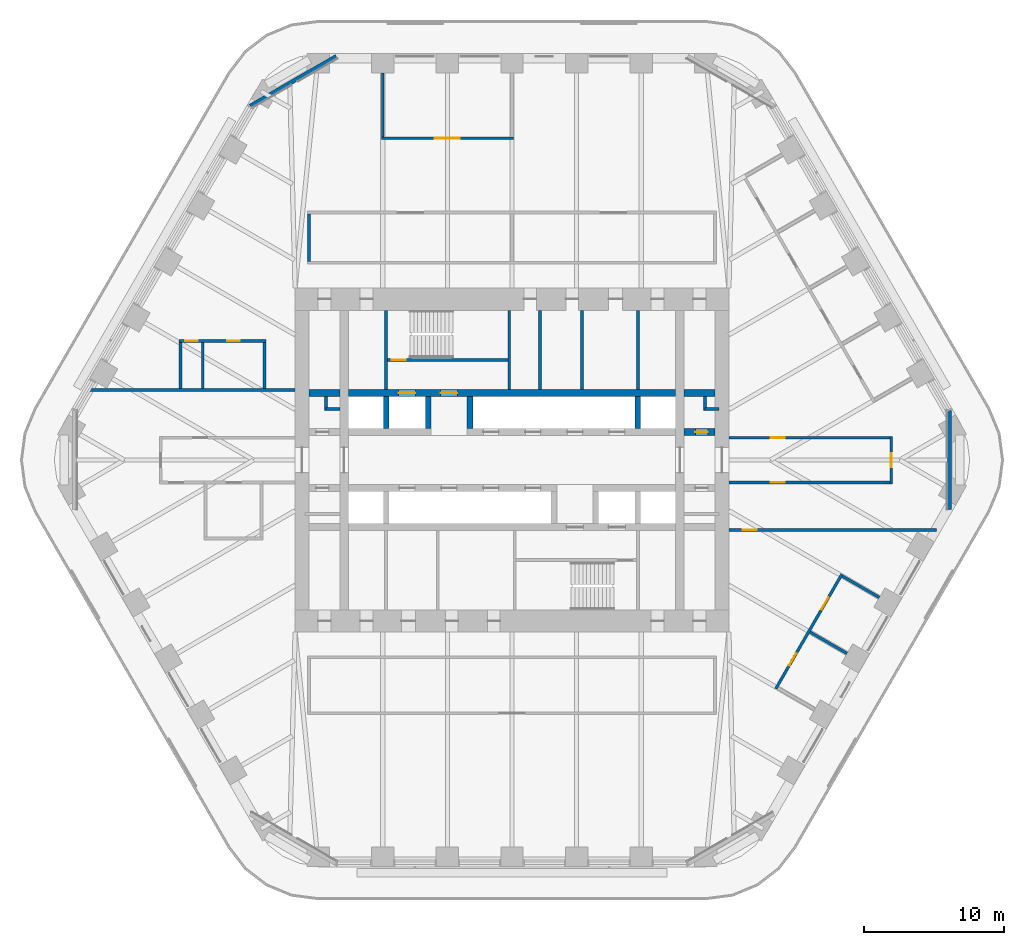
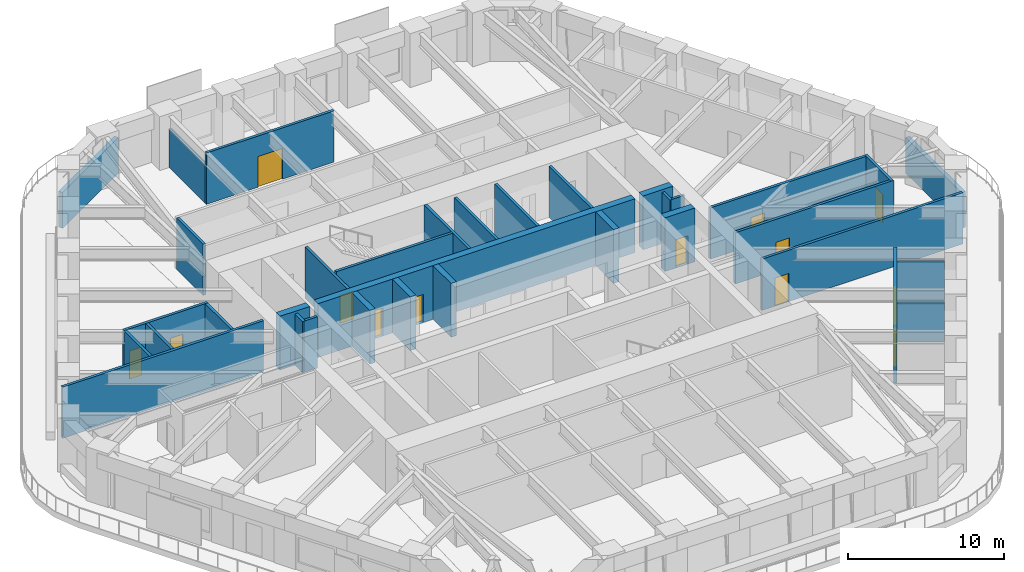
# One storey, part 16 of 20: 35 walls, 13 doors, 13 openings.
"""IFC4 building model written with IfcOpenShell, lengths in metres."""

from ifc_helpers import new_model, si_unit, direction, frame, frame_2d, origin, place, context, subcontext, project, spatial, rectangle, extrude, material, layer, layer_set, type_object, element, fill, save


model = new_model("IFC4")

# Units and contexts
model_context = context("Model", 3, precision=1e-05, world=origin(), true_north=direction((0.0, 1.0)))
body_context = subcontext(model_context, "Body", "Model", "MODEL_VIEW")
ifc_project = project(units=[si_unit("LENGTHUNIT", "METRE"), si_unit("AREAUNIT", "SQUARE_METRE"), si_unit("VOLUMEUNIT", "CUBIC_METRE"), si_unit("PLANEANGLEUNIT", "RADIAN"), si_unit("MASSUNIT", "GRAM", prefix="KILO")], contexts=[model_context])

# Site, building, storey
site_placement = place(None, origin())
site = spatial("IfcSite", under=ifc_project, at=site_placement, CompositionType="ELEMENT")
building_placement = place(site_placement, origin())
building = spatial("IfcBuilding", under=site, at=building_placement, Name="Tarfa Lantern Tower", CompositionType="ELEMENT")
storey_placement = place(building_placement, frame((0.0, 0.0, 232.300048828125)))
storey = spatial("IfcBuildingStorey", under=building, at=storey_placement, Name="L52", CompositionType="ELEMENT", Elevation=232.300048828125)

# Walls
ifc_material_1 = material(Name="Limestone cladding on blockwork", Category="masonry")
ifc_layer_1 = layer(ifc_material_1, 0.300048828125)
ifc_layer_set_1 = layer_set([ifc_layer_1], Name="EW1 STONE-CLAD WALL 300")
wall_type_1 = type_object("IfcWallType", Name="EW1 STONE-CLAD WALL 300", PredefinedType="SOLIDWALL", material=ifc_layer_set_1)
wall_1_placement = place(storey_placement, frame((-12.556396484375, 28.85009765625, 0.0), z_axis=(0.0, 0.0, 1.0), x_axis=(-0.866010973379, -0.500024993363, 0.0)))
element("IfcWall", 1, at=wall_1_placement, inside=storey, type_object=wall_type_1, Name="Garden wall N-NW", PredefinedType="SOLIDWALL", context=body_context, shape_type="SweptSolid", body=[
    extrude(rectangle(XDim=7.101806640625, YDim=0.300048828125, at=frame_2d((3.55078125, 0.0))), origin(), (0.0, 0.0, 1.0), 2.800048828125),
])
wall_2_placement = place(storey_placement, frame((31.262939453125, -3.55078125, 0.0), z_axis=(0.0, 0.0, 1.0), x_axis=(0.0, 1.0, 0.0)))
element("IfcWall", 2, at=wall_2_placement, inside=storey, type_object=wall_type_1, Name="Garden wall SE-NE", PredefinedType="SOLIDWALL", context=body_context, shape_type="SweptSolid", body=[
    extrude(rectangle(XDim=7.1015625, YDim=0.300048828125, at=frame_2d((3.55078125, 0.0))), origin(), (0.0, 0.0, 1.0), 2.800048828125),
])
ifc_material_2 = material(Name="Concrete blockwork", Category="masonry")
ifc_layer_2 = layer(ifc_material_2, 0.199951171875)
ifc_layer_set_2 = layer_set([ifc_layer_2], Name="IW1 BLOCKWORK PARTITION 200 EI 120")
wall_type_2 = type_object("IfcWallType", Name="IW1 BLOCKWORK PARTITION 200 EI 120", PredefinedType="PARTITIONING", material=ifc_layer_set_2)
for number, where, z_axis, x_axis, name in (
    (3, (-9.0, 5.050048828125, 0.0), (0.0, 0.0, 1.0), (0.0, 1.0, 0.0), "Core partition"),
    (4, (9.0, 5.050048828125, 0.0), (0.0, 0.0, 1.0), (0.0, 1.0, 0.0), "Core partition"),
    (5, (2.0, 5.050048828125, 0.0), (0.0, 0.0, 1.0), (0.0, 1.0, 0.0), "Core partition"),
    (6, (5.0, 5.050048828125, 0.0), (0.0, 0.0, 1.0), (0.0, 1.0, 0.0), "Core partition"),
):
    element("IfcWall", number, at=place(storey_placement, frame(where, z_axis=z_axis, x_axis=x_axis)), inside=storey, type_object=wall_type_2, Name=name, PredefinedType="PARTITIONING", context=body_context, shape_type="SweptSolid", body=[
        extrude(rectangle(XDim=5.64990234375, YDim=0.199951171875, at=frame_2d((2.824951171875, 0.0))), origin(), (0.0, 0.0, 1.0), 4.0),
    ])
for number, where, z_axis, x_axis, name in (
    (7, (-13.300048828125, 3.64990234375, 0.0), (0.0, 0.0, 1.0), (1.0, 0.0, 0.0), "Core partition"),
    (8, (-13.300048828125, 3.550048828125, 0.0), (0.0, 0.0, 1.0), (0.0, 1.0, 0.0), "Core partition"),
    (9, (13.800048828125, 3.64990234375, 0.0), (0.0, 0.0, 1.0), (1.0, 0.0, 0.0), "Core partition"),
    (10, (13.800048828125, 3.550048828125, 0.0), (0.0, 0.0, 1.0), (0.0, 1.0, 0.0), "Core partition"),
):
    element("IfcWall", number, at=place(storey_placement, frame(where, z_axis=z_axis, x_axis=x_axis)), inside=storey, type_object=wall_type_2, Name=name, PredefinedType="PARTITIONING", context=body_context, shape_type="SweptSolid", body=[
        extrude(rectangle(XDim=1.0, YDim=0.199951171875, at=frame_2d((0.5, 0.0))), origin(), (0.0, 0.0, 1.0), 4.0),
    ])
ifc_material_3 = material(Name="Gypsum board on steel studs", Category="steel")
ifc_layer_3 = layer(ifc_material_3, 0.2099609375)
ifc_layer_set_3 = layer_set([ifc_layer_3], Name="IW2 ACOUSTIC PARTITION 200")
wall_type_3 = type_object("IfcWallType", Name="IW2 ACOUSTIC PARTITION 200", PredefinedType="PARTITIONING", material=ifc_layer_set_3)
wall_3_placement = place(storey_placement, frame((-14.5, 14.199951171875, 0.0), z_axis=(0.0, 0.0, 1.0), x_axis=(0.0, 1.0, 0.0)))
element("IfcWall", 11, at=wall_3_placement, inside=storey, type_object=wall_type_3, Name="Partition", PredefinedType="PARTITIONING", context=body_context, shape_type="SweptSolid", body=[
    extrude(rectangle(XDim=3.400146484375, YDim=0.199951171875, at=frame_2d((1.7001953125, 0.0))), origin(), (0.0, 0.0, 1.0), 4.0),
])

# Wall, opening, door
wall_4_placement = place(storey_placement, frame((0.10009765625, 23.0, 0.0), z_axis=(0.0, 0.0, 1.0), x_axis=(-1.0, 0.0, 0.0)))
wall_4 = element("IfcWall", 12, at=wall_4_placement, inside=storey, type_object=wall_type_3, Name="Partition", PredefinedType="PARTITIONING", context=body_context, shape_type="SweptSolid", body=[
    extrude(rectangle(XDim=9.437744140625, YDim=0.199951171875, at=frame_2d((4.71875, 0.0))), origin(), (0.0, 0.0, 1.0), 4.0),
])
opening_1_placement = place(wall_4_placement, frame((3.81884765625, 0.0, 0.0)))
opening_1 = element("IfcOpeningElement", 13, at=opening_1_placement, cuts=wall_4, Name="Opening D27", PredefinedType="OPENING", context=body_context, shape_type="SweptSolid", body=[
    extrude(rectangle(XDim=1.800048828125, YDim=2.39990234375, at=frame_2d((0.89990234375, 1.199951171875))), frame((0.0, 0.10986328125, 0.0), z_axis=(0.0, -1.0, 0.0), x_axis=(1.0, 0.0, 0.0)), (0.0, 0.0, 1.0), 0.219970703125),
])
ifc_material_4 = material(Name="Timber door", Category="wood")
door_type_1 = type_object("IfcDoorType", Name="DR2 ROOM DOOR 1800x2400", OperationType="DOUBLE_DOOR_SINGLE_SWING", PredefinedType="DOOR", material=ifc_material_4)
door_1_placement = place(opening_1_placement, frame((1.800048828125, 0.0, 0.0), z_axis=(0.0, 0.0, 1.0), x_axis=(-1.0, 0.0, 0.0)))
door_1 = element("IfcDoor", 14, at=door_1_placement, inside=storey, type_object=door_type_1, Name="Hearing room door", OperationType="DOUBLE_DOOR_SINGLE_SWING", OverallHeight=2.39990234375, OverallWidth=1.800048828125, PredefinedType="DOOR", context=body_context, shape_type="SweptSolid", body=[
    extrude(rectangle(XDim=1.800048828125, YDim=2.39990234375, at=frame_2d((0.89990234375, 1.199951171875))), frame((0.0, 0.02490234375, 0.0), z_axis=(0.0, -1.0, 0.0), x_axis=(1.0, 0.0, 0.0)), (0.0, 0.0, 1.0), 0.050048828125),
])
fill(opening_1, door_1)

# Wall
wall_5_placement = place(storey_placement, frame((-9.237548828125, 23.10009765625, 0.0), z_axis=(0.0, 0.0, 1.0), x_axis=(0.0, 1.0, 0.0)))
element("IfcWall", 15, at=wall_5_placement, inside=storey, type_object=wall_type_3, Name="Partition", PredefinedType="PARTITIONING", context=body_context, shape_type="SweptSolid", body=[
    extrude(rectangle(XDim=4.5498046875, YDim=0.199951171875, at=frame_2d((2.27490234375, 0.0))), origin(), (0.0, 0.0, 1.0), 2.991943359375),
])

# Wall, openings, doors
wall_6_placement = place(storey_placement, frame((18.858154296875, -16.336669921875, 0.0), z_axis=(0.0, 0.0, 1.0), x_axis=(0.499989672313, 0.866031366395, 0.0)))
wall_6 = element("IfcWall", 16, at=wall_6_placement, inside=storey, type_object=wall_type_3, Name="Partition", PredefinedType="PARTITIONING", context=body_context, shape_type="SweptSolid", body=[
    extrude(rectangle(XDim=9.437744140625, YDim=0.199951171875, at=frame_2d((4.71875, 0.0))), origin(), (0.0, 0.0, 1.0), 4.0),
])
opening_2_placement = place(wall_6_placement, frame((1.909423828125, 0.0, 0.0)))
opening_2 = element("IfcOpeningElement", 17, at=opening_2_placement, cuts=wall_6, Name="Opening D32", PredefinedType="OPENING", context=body_context, shape_type="SweptSolid", body=[
    extrude(rectangle(XDim=1.0, YDim=2.199951171875, at=frame_2d((0.5, 1.10009765625))), frame((0.0, 0.10986328125, 0.0), z_axis=(0.0, -1.0, 0.0), x_axis=(1.0, 0.0, 0.0)), (0.0, 0.0, 1.0), 0.219970703125),
])
opening_3_placement = place(wall_6_placement, frame((6.5283203125, 0.0, 0.0)))
opening_3 = element("IfcOpeningElement", 18, at=opening_3_placement, cuts=wall_6, Name="Opening D33", PredefinedType="OPENING", context=body_context, shape_type="SweptSolid", body=[
    extrude(rectangle(XDim=1.0, YDim=2.199951171875, at=frame_2d((0.5, 1.10009765625))), frame((0.0, 0.10986328125, 0.0), z_axis=(0.0, -1.0, 0.0), x_axis=(1.0, 0.0, 0.0)), (0.0, 0.0, 1.0), 0.219970703125),
])
door_type_2 = type_object("IfcDoorType", Name="DR1 ROOM DOOR 1000x2200", OperationType="SINGLE_SWING_LEFT", PredefinedType="DOOR", material=ifc_material_4)
door_2_placement = place(opening_2_placement, frame((1.0, 0.0, 0.0), z_axis=(0.0, 0.0, 1.0), x_axis=(-1.0, 0.0, 0.0)))
door_2 = element("IfcDoor", 19, at=door_2_placement, inside=storey, type_object=door_type_2, Name="Investigator's office door", OperationType="SINGLE_SWING_LEFT", OverallHeight=2.199951171875, OverallWidth=1.0, PredefinedType="DOOR", context=body_context, shape_type="SweptSolid", body=[
    extrude(rectangle(XDim=1.0, YDim=2.199951171875, at=frame_2d((0.5, 1.10009765625))), frame((0.0, 0.02490234375, 0.0), z_axis=(0.0, -1.0, 0.0), x_axis=(1.0, 0.0, 0.0)), (0.0, 0.0, 1.0), 0.050048828125),
])
fill(opening_2, door_2)
door_3_placement = place(opening_3_placement, frame((1.0, 0.0, 0.0), z_axis=(0.0, 0.0, 1.0), x_axis=(-1.0, 0.0, 0.0)))
door_3 = element("IfcDoor", 20, at=door_3_placement, inside=storey, type_object=door_type_2, Name="Investigator's office door", OperationType="SINGLE_SWING_RIGHT", OverallHeight=2.199951171875, OverallWidth=1.0, PredefinedType="DOOR", context=body_context, shape_type="SweptSolid", body=[
    extrude(rectangle(XDim=1.0, YDim=2.199951171875, at=frame_2d((0.5, 1.10009765625))), frame((0.0, 0.02490234375, 0.0), z_axis=(0.0, -1.0, 0.0), x_axis=(1.0, 0.0, 0.0)), (0.0, 0.0, 1.0), 0.050048828125),
])
fill(opening_3, door_3)

# Walls
for number, where, z_axis, x_axis, name in (
    (21, (21.30419921875, -12.300048828125, 0.0), (0.0, 0.0, 1.0), (0.866037623948, -0.499978833458, 0.0), "Partition"),
    (22, (23.613525390625, -8.300048828125, 0.0), (0.0, 0.0, 1.0), (0.866037623948, -0.499978833458, 0.0), "Partition"),
):
    element("IfcWall", number, at=place(storey_placement, frame(where, z_axis=z_axis, x_axis=x_axis)), inside=storey, type_object=wall_type_3, Name=name, PredefinedType="PARTITIONING", context=body_context, shape_type="SweptSolid", body=[
        extrude(rectangle(XDim=3.050048828125, YDim=0.199951171875, at=frame_2d((1.52490234375, 0.0))), origin(), (0.0, 0.0, 1.0), 3.08154296875),
    ])

# Wall, opening, door
wall_7_placement = place(storey_placement, frame((15.5, 1.60009765625, 0.0), z_axis=(0.0, 0.0, 1.0), x_axis=(1.0, 0.0, 0.0)))
wall_7 = element("IfcWall", 23, at=wall_7_placement, inside=storey, type_object=wall_type_3, Name="Partition", PredefinedType="PARTITIONING", context=body_context, shape_type="SweptSolid", body=[
    extrude(rectangle(XDim=11.699951171875, YDim=0.199951171875, at=frame_2d((5.85009765625, 0.0))), origin(), (0.0, 0.0, 1.0), 4.0),
])
opening_4_placement = place(wall_7_placement, frame((3.010009765625, 0.0, 0.0)))
opening_4 = element("IfcOpeningElement", 24, at=opening_4_placement, cuts=wall_7, Name="Opening D41", PredefinedType="OPENING", context=body_context, shape_type="SweptSolid", body=[
    extrude(rectangle(XDim=1.0, YDim=2.199951171875, at=frame_2d((0.5, 1.10009765625))), frame((0.0, 0.10986328125, 0.0), z_axis=(0.0, -1.0, 0.0), x_axis=(1.0, 0.0, 0.0)), (0.0, 0.0, 1.0), 0.219970703125),
])
door_4_placement = place(opening_4_placement, origin())
door_4 = element("IfcDoor", 25, at=door_4_placement, inside=storey, type_object=door_type_2, Name="Corridor door", OperationType="SINGLE_SWING_RIGHT", OverallHeight=2.199951171875, OverallWidth=1.0, PredefinedType="DOOR", context=body_context, shape_type="SweptSolid", body=[
    extrude(rectangle(XDim=1.0, YDim=2.199951171875, at=frame_2d((0.5, 1.10009765625))), frame((0.0, 0.02490234375, 0.0), z_axis=(0.0, -1.0, 0.0), x_axis=(1.0, 0.0, 0.0)), (0.0, 0.0, 1.0), 0.050048828125),
])
fill(opening_4, door_4)

wall_8_placement = place(storey_placement, frame((15.5, -1.60009765625, 0.0), z_axis=(0.0, 0.0, 1.0), x_axis=(1.0, 0.0, 0.0)))
wall_8 = element("IfcWall", 26, at=wall_8_placement, inside=storey, type_object=wall_type_3, Name="Partition", PredefinedType="PARTITIONING", context=body_context, shape_type="SweptSolid", body=[
    extrude(rectangle(XDim=11.699951171875, YDim=0.199951171875, at=frame_2d((5.85009765625, 0.0))), origin(), (0.0, 0.0, 1.0), 4.0),
])
opening_5_placement = place(wall_8_placement, frame((3.010009765625, 0.0, 0.0)))
opening_5 = element("IfcOpeningElement", 27, at=opening_5_placement, cuts=wall_8, Name="Opening D42", PredefinedType="OPENING", context=body_context, shape_type="SweptSolid", body=[
    extrude(rectangle(XDim=1.0, YDim=2.199951171875, at=frame_2d((0.5, 1.10009765625))), frame((0.0, 0.10986328125, 0.0), z_axis=(0.0, -1.0, 0.0), x_axis=(1.0, 0.0, 0.0)), (0.0, 0.0, 1.0), 0.219970703125),
])
door_5_placement = place(opening_5_placement, frame((1.0, 0.0, 0.0), z_axis=(0.0, 0.0, 1.0), x_axis=(-1.0, 0.0, 0.0)))
door_5 = element("IfcDoor", 28, at=door_5_placement, inside=storey, type_object=door_type_2, Name="Corridor door", OperationType="SINGLE_SWING_LEFT", OverallHeight=2.199951171875, OverallWidth=1.0, PredefinedType="DOOR", context=body_context, shape_type="SweptSolid", body=[
    extrude(rectangle(XDim=1.0, YDim=2.199951171875, at=frame_2d((0.5, 1.10009765625))), frame((0.0, 0.02490234375, 0.0), z_axis=(0.0, -1.0, 0.0), x_axis=(1.0, 0.0, 0.0)), (0.0, 0.0, 1.0), 0.050048828125),
])
fill(opening_5, door_5)

wall_9_placement = place(storey_placement, frame((27.10009765625, -1.699951171875, 0.0), z_axis=(0.0, 0.0, 1.0), x_axis=(0.0, 1.0, 0.0)))
wall_9 = element("IfcWall", 29, at=wall_9_placement, inside=storey, type_object=wall_type_3, Name="Partition", PredefinedType="PARTITIONING", context=body_context, shape_type="SweptSolid", body=[
    extrude(rectangle(XDim=3.39990234375, YDim=0.199951171875, at=frame_2d((1.699951171875, 0.0))), origin(), (0.0, 0.0, 1.0), 4.0),
])
opening_6_placement = place(wall_9_placement, frame((1.199951171875, 0.0, 0.0)))
opening_6 = element("IfcOpeningElement", 30, at=opening_6_placement, cuts=wall_9, Name="Opening D40", PredefinedType="OPENING", context=body_context, shape_type="SweptSolid", body=[
    extrude(rectangle(XDim=1.0, YDim=2.199951171875, at=frame_2d((0.5, 1.10009765625))), frame((0.0, 0.10986328125, 0.0), z_axis=(0.0, -1.0, 0.0), x_axis=(1.0, 0.0, 0.0)), (0.0, 0.0, 1.0), 0.219970703125),
])
door_6_placement = place(opening_6_placement, frame((1.0, 0.0, 0.0), z_axis=(0.0, 0.0, 1.0), x_axis=(-1.0, 0.0, 0.0)))
door_6 = element("IfcDoor", 31, at=door_6_placement, inside=storey, type_object=door_type_2, Name="Corridor door", OperationType="SINGLE_SWING_LEFT", OverallHeight=2.199951171875, OverallWidth=1.0, PredefinedType="DOOR", context=body_context, shape_type="SweptSolid", body=[
    extrude(rectangle(XDim=1.0, YDim=2.199951171875, at=frame_2d((0.5, 1.10009765625))), frame((0.0, 0.02490234375, 0.0), z_axis=(0.0, -1.0, 0.0), x_axis=(1.0, 0.0, 0.0)), (0.0, 0.0, 1.0), 0.050048828125),
])
fill(opening_6, door_6)

wall_10_placement = place(storey_placement, frame((15.5, -5.0, 0.0), z_axis=(0.0, 0.0, 1.0), x_axis=(1.0, 0.0, 0.0)))
wall_10 = element("IfcWall", 32, at=wall_10_placement, inside=storey, type_object=wall_type_3, Name="Partition", PredefinedType="PARTITIONING", context=body_context, shape_type="SweptSolid", body=[
    extrude(rectangle(XDim=14.845458984375, YDim=0.199951171875, at=frame_2d((7.4228515625, 0.0))), origin(), (0.0, 0.0, 1.0), 4.0),
])
opening_7_placement = place(wall_10_placement, frame((0.984619140625, 0.0, 0.0)))
opening_7 = element("IfcOpeningElement", 33, at=opening_7_placement, cuts=wall_10, Name="Opening D46", PredefinedType="OPENING", context=body_context, shape_type="SweptSolid", body=[
    extrude(rectangle(XDim=1.0, YDim=2.199951171875, at=frame_2d((0.5, 1.10009765625))), frame((0.0, 0.10986328125, 0.0), z_axis=(0.0, -1.0, 0.0), x_axis=(1.0, 0.0, 0.0)), (0.0, 0.0, 1.0), 0.219970703125),
])
door_7_placement = place(opening_7_placement, origin())
door_7 = element("IfcDoor", 34, at=door_7_placement, inside=storey, type_object=door_type_2, Name="Zone door", OperationType="SINGLE_SWING_RIGHT", OverallHeight=2.199951171875, OverallWidth=1.0, PredefinedType="DOOR", context=body_context, shape_type="SweptSolid", body=[
    extrude(rectangle(XDim=1.0, YDim=2.199951171875, at=frame_2d((0.5, 1.10009765625))), frame((0.0, 0.02490234375, 0.0), z_axis=(0.0, -1.0, 0.0), x_axis=(1.0, 0.0, 0.0)), (0.0, 0.0, 1.0), 0.050048828125),
])
fill(opening_7, door_7)

# Wall
wall_11_placement = place(storey_placement, frame((-15.5, 5.0, 0.0), z_axis=(0.0, 0.0, 1.0), x_axis=(-1.0, 0.0, 0.0)))
element("IfcWall", 35, at=wall_11_placement, inside=storey, type_object=wall_type_3, Name="Partition", PredefinedType="PARTITIONING", context=body_context, shape_type="SweptSolid", body=[
    extrude(rectangle(XDim=14.845458984375, YDim=0.199951171875, at=frame_2d((7.4228515625, 0.0))), origin(), (0.0, 0.0, 1.0), 4.0),
])

# Wall, openings, doors
wall_12_placement = place(storey_placement, frame((-17.595947265625, 8.5, 0.0), z_axis=(0.0, 0.0, 1.0), x_axis=(-1.0, 0.0, 0.0)))
wall_12 = element("IfcWall", 36, at=wall_12_placement, inside=storey, type_object=wall_type_3, Name="Partition", PredefinedType="PARTITIONING", context=body_context, shape_type="SweptSolid", body=[
    extrude(rectangle(XDim=6.199951171875, YDim=0.199951171875, at=frame_2d((3.10009765625, 0.0))), origin(), (0.0, 0.0, 1.0), 4.0),
])
opening_8_placement = place(wall_12_placement, frame((1.85009765625, 0.0, 0.0)))
opening_8 = element("IfcOpeningElement", 37, at=opening_8_placement, cuts=wall_12, Name="Opening D38", PredefinedType="OPENING", context=body_context, shape_type="SweptSolid", body=[
    extrude(rectangle(XDim=0.89990234375, YDim=2.199951171875, at=frame_2d((0.449951171875, 1.10009765625))), frame((0.0, 0.10986328125, 0.0), z_axis=(0.0, -1.0, 0.0), x_axis=(1.0, 0.0, 0.0)), (0.0, 0.0, 1.0), 0.219970703125),
])
opening_9_placement = place(wall_12_placement, frame((4.85009765625, 0.0, 0.0)))
opening_9 = element("IfcOpeningElement", 38, at=opening_9_placement, cuts=wall_12, Name="Opening D39", PredefinedType="OPENING", context=body_context, shape_type="SweptSolid", body=[
    extrude(rectangle(XDim=0.89990234375, YDim=2.199951171875, at=frame_2d((0.449951171875, 1.10009765625))), frame((0.0, 0.10986328125, 0.0), z_axis=(0.0, -1.0, 0.0), x_axis=(1.0, 0.0, 0.0)), (0.0, 0.0, 1.0), 0.219970703125),
])
door_type_3 = type_object("IfcDoorType", Name="DR3 ROOM DOOR 900x2200", OperationType="SINGLE_SWING_LEFT", PredefinedType="DOOR", material=ifc_material_4)
door_8_placement = place(opening_8_placement, origin())
door_8 = element("IfcDoor", 39, at=door_8_placement, inside=storey, type_object=door_type_3, Name="Meeting room door", OperationType="SINGLE_SWING_RIGHT", OverallHeight=2.199951171875, OverallWidth=0.89990234375, PredefinedType="DOOR", context=body_context, shape_type="SweptSolid", body=[
    extrude(rectangle(XDim=0.89990234375, YDim=2.199951171875, at=frame_2d((0.449951171875, 1.10009765625))), frame((0.0, 0.02490234375, 0.0), z_axis=(0.0, -1.0, 0.0), x_axis=(1.0, 0.0, 0.0)), (0.0, 0.0, 1.0), 0.050048828125),
])
fill(opening_8, door_8)
door_9_placement = place(opening_9_placement, origin())
door_9 = element("IfcDoor", 40, at=door_9_placement, inside=storey, type_object=door_type_3, Name="Phone booth door", OperationType="SINGLE_SWING_LEFT", OverallHeight=2.199951171875, OverallWidth=0.89990234375, PredefinedType="DOOR", context=body_context, shape_type="SweptSolid", body=[
    extrude(rectangle(XDim=0.89990234375, YDim=2.199951171875, at=frame_2d((0.449951171875, 1.10009765625))), frame((0.0, 0.02490234375, 0.0), z_axis=(0.0, -1.0, 0.0), x_axis=(1.0, 0.0, 0.0)), (0.0, 0.0, 1.0), 0.050048828125),
])
fill(opening_9, door_9)

# Walls
for number, where, z_axis, x_axis, name in (
    (41, (-17.69580078125, 5.10009765625, 0.0), (0.0, 0.0, 1.0), (0.0, 1.0, 0.0), "Partition"),
    (42, (-22.095947265625, 5.10009765625, 0.0), (0.0, 0.0, 1.0), (0.0, 1.0, 0.0), "Partition"),
    (43, (-23.69580078125, 5.10009765625, 0.0), (0.0, 0.0, 1.0), (0.0, 1.0, 0.0), "Partition"),
):
    element("IfcWall", number, at=place(storey_placement, frame(where, z_axis=z_axis, x_axis=x_axis)), inside=storey, type_object=wall_type_3, Name=name, PredefinedType="PARTITIONING", context=body_context, shape_type="SweptSolid", body=[
        extrude(rectangle(XDim=3.2998046875, YDim=0.199951171875, at=frame_2d((1.64990234375, 0.0))), origin(), (0.0, 0.0, 1.0), 4.0),
    ])
ifc_material_5 = material(Name="Concrete C80/95", Category="concrete")
ifc_layer_4 = layer(ifc_material_5, 0.199951171875)
ifc_layer_set_4 = layer_set([ifc_layer_4], Name="SW12 CORE WALL 200")
wall_type_4 = type_object("IfcWallType", Name="SW12 CORE WALL 200", PredefinedType="SHEAR", material=ifc_layer_set_4)
wall_13_placement = place(storey_placement, frame((-0.199951171875, 5.050048828125, 0.0), z_axis=(0.0, 0.0, 1.0), x_axis=(0.0, 1.0, 0.0)))
element("IfcWall", 44, at=wall_13_placement, inside=storey, type_object=wall_type_4, Name="Core wall stair shaft N", PredefinedType="SHEAR", context=body_context, shape_type="SweptSolid", body=[
    extrude(rectangle(XDim=5.64990234375, YDim=0.199951171875, at=frame_2d((2.824951171875, 0.0))), origin(), (0.0, 0.0, 1.0), 4.199951171875),
])

# Wall, opening, door
wall_14_placement = place(storey_placement, frame((-8.89990234375, 7.14990234375, 0.0), z_axis=(0.0, 0.0, 1.0), x_axis=(1.0, 0.0, 0.0)))
wall_14 = element("IfcWall", 45, at=wall_14_placement, inside=storey, type_object=wall_type_4, Name="Core wall stair partition N", PredefinedType="SHEAR", context=body_context, shape_type="SweptSolid", body=[
    extrude(rectangle(XDim=8.599853515625, YDim=0.199951171875, at=frame_2d((4.2998046875, 0.0))), origin(), (0.0, 0.0, 1.0), 4.199951171875),
])
opening_10_placement = place(wall_14_placement, frame((0.300048828125, 0.0, 0.0)))
opening_10 = element("IfcOpeningElement", 46, at=opening_10_placement, cuts=wall_14, Name="Opening D23", PredefinedType="OPENING", context=body_context, shape_type="SweptSolid", body=[
    extrude(rectangle(XDim=1.0, YDim=2.199951171875, at=frame_2d((0.5, 1.10009765625))), frame((0.0, 0.10986328125, 0.0), z_axis=(0.0, -1.0, 0.0), x_axis=(1.0, 0.0, 0.0)), (0.0, 0.0, 1.0), 0.219970703125),
])
ifc_material_6 = material(Name="Steel fire door", Category="steel")
door_type_4 = type_object("IfcDoorType", Name="DF2 STAIR DOOR 1000x2200", OperationType="SINGLE_SWING_LEFT", PredefinedType="DOOR", material=ifc_material_6)
door_10_placement = place(opening_10_placement, origin())
door_10 = element("IfcDoor", 47, at=door_10_placement, inside=storey, type_object=door_type_4, Name="Stair door", OperationType="SINGLE_SWING_RIGHT", OverallHeight=2.199951171875, OverallWidth=1.0, PredefinedType="DOOR", context=body_context, shape_type="SweptSolid", body=[
    extrude(rectangle(XDim=1.0, YDim=2.199951171875, at=frame_2d((0.5, 1.10009765625))), frame((0.0, 0.02490234375, 0.0), z_axis=(0.0, -1.0, 0.0), x_axis=(1.0, 0.0, 0.0)), (0.0, 0.0, 1.0), 0.050048828125),
])
fill(opening_10, door_10)

ifc_layer_5 = layer(ifc_material_5, 0.5)
ifc_layer_set_5 = layer_set([ifc_layer_5], Name="SW5 CORE WALL 500")
wall_type_5 = type_object("IfcWallType", Name="SW5 CORE WALL 500", PredefinedType="SHEAR", material=ifc_layer_set_5)
wall_15_placement = place(storey_placement, frame((12.300048828125, 2.0, 0.0), z_axis=(0.0, 0.0, 1.0), x_axis=(1.0, 0.0, 0.0)))
wall_15 = element("IfcWall", 48, at=wall_15_placement, inside=storey, type_object=wall_type_5, Name="Core wall lobby east N", PredefinedType="SHEAR", context=body_context, shape_type="SweptSolid", body=[
    extrude(rectangle(XDim=2.199951171875, YDim=0.5, at=frame_2d((1.10009765625, 0.0))), origin(), (0.0, 0.0, 1.0), 4.199951171875),
])
opening_11_placement = place(wall_15_placement, frame((0.800048828125, 0.0, 0.0)))
opening_11 = element("IfcOpeningElement", 49, at=opening_11_placement, cuts=wall_15, Name="Opening D13", PredefinedType="OPENING", context=body_context, shape_type="SweptSolid", body=[
    extrude(rectangle(XDim=0.89990234375, YDim=2.199951171875, at=frame_2d((0.449951171875, 1.10009765625))), frame((0.0, 0.260009765625, 0.0), z_axis=(0.0, -1.0, 0.0), x_axis=(1.0, 0.0, 0.0)), (0.0, 0.0, 1.0), 0.52001953125),
])
door_type_5 = type_object("IfcDoorType", Name="DF6 SERVICE ROOM DOOR 900x2200", OperationType="SINGLE_SWING_LEFT", PredefinedType="DOOR", material=ifc_material_6)
door_11_placement = place(opening_11_placement, origin())
door_11 = element("IfcDoor", 50, at=door_11_placement, inside=storey, type_object=door_type_5, Name="Service room door", OperationType="SINGLE_SWING_LEFT", OverallHeight=2.199951171875, OverallWidth=0.89990234375, PredefinedType="DOOR", context=body_context, shape_type="SweptSolid", body=[
    extrude(rectangle(XDim=0.89990234375, YDim=2.199951171875, at=frame_2d((0.449951171875, 1.10009765625))), frame((0.0, 0.02490234375, 0.0), z_axis=(0.0, -1.0, 0.0), x_axis=(1.0, 0.0, 0.0)), (0.0, 0.0, 1.0), 0.050048828125),
])
fill(opening_11, door_11)

# Wall
wall_16_placement = place(storey_placement, frame((-14.5, 4.800048828125, 0.0), z_axis=(0.0, 0.0, 1.0), x_axis=(1.0, 0.0, 0.0)))
element("IfcWall", 51, at=wall_16_placement, inside=storey, type_object=wall_type_5, Name="Core wall rear N", PredefinedType="SHEAR", context=body_context, shape_type="SweptSolid", body=[
    extrude(rectangle(XDim=2.199951171875, YDim=0.5, at=frame_2d((1.10009765625, 0.0))), origin(), (0.0, 0.0, 1.0), 4.199951171875),
])

# Wall, openings, doors
wall_17_placement = place(storey_placement, frame((-11.699951171875, 4.800048828125, 0.0), z_axis=(0.0, 0.0, 1.0), x_axis=(1.0, 0.0, 0.0)))
wall_17 = element("IfcWall", 52, at=wall_17_placement, inside=storey, type_object=wall_type_5, Name="Core wall rear N", PredefinedType="SHEAR", context=body_context, shape_type="SweptSolid", body=[
    extrude(rectangle(XDim=23.39990234375, YDim=0.5, at=frame_2d((11.699951171875, 0.0))), origin(), (0.0, 0.0, 1.0), 4.199951171875),
])
opening_12_placement = place(wall_17_placement, frame((6.60009765625, 0.0, 0.0)))
opening_12 = element("IfcOpeningElement", 53, at=opening_12_placement, cuts=wall_17, Name="Opening D09", PredefinedType="OPENING", context=body_context, shape_type="SweptSolid", body=[
    extrude(rectangle(XDim=1.199951171875, YDim=2.199951171875, at=frame_2d((0.60009765625, 1.10009765625))), frame((0.0, 0.260009765625, 0.0), z_axis=(0.0, -1.0, 0.0), x_axis=(1.0, 0.0, 0.0)), (0.0, 0.0, 1.0), 0.52001953125),
])
opening_13_placement = place(wall_17_placement, frame((3.60009765625, 0.0, 0.0)))
opening_13 = element("IfcOpeningElement", 54, at=opening_13_placement, cuts=wall_17, Name="Opening LD01", PredefinedType="OPENING", context=body_context, shape_type="SweptSolid", body=[
    extrude(rectangle(XDim=1.199951171875, YDim=2.199951171875, at=frame_2d((0.60009765625, 1.10009765625))), frame((0.0, 0.260009765625, 0.0), z_axis=(0.0, -1.0, 0.0), x_axis=(1.0, 0.0, 0.0)), (0.0, 0.0, 1.0), 0.52001953125),
])
door_type_6 = type_object("IfcDoorType", Name="DF1 FIREFIGHTING LOBBY DOOR 1200x2200", OperationType="SINGLE_SWING_LEFT", PredefinedType="DOOR", material=ifc_material_6)
door_12_placement = place(opening_12_placement, origin())
door_12 = element("IfcDoor", 55, at=door_12_placement, inside=storey, type_object=door_type_6, Name="Firefighting lobby door", OperationType="SINGLE_SWING_LEFT", OverallHeight=2.199951171875, OverallWidth=1.199951171875, PredefinedType="DOOR", context=body_context, shape_type="SweptSolid", body=[
    extrude(rectangle(XDim=1.199951171875, YDim=2.199951171875, at=frame_2d((0.60009765625, 1.10009765625))), frame((0.0, 0.02490234375, 0.0), z_axis=(0.0, -1.0, 0.0), x_axis=(1.0, 0.0, 0.0)), (0.0, 0.0, 1.0), 0.050048828125),
])
fill(opening_12, door_12)
ifc_material_7 = material(Name="Stainless steel lift door", Category="steel")
door_type_7 = type_object("IfcDoorType", Name="LD1 LIFT LANDING DOOR 1200x2200", OperationType="SLIDING_TO_LEFT", PredefinedType="DOOR", material=ifc_material_7)
door_13_placement = place(opening_13_placement, origin())
door_13 = element("IfcDoor", 56, at=door_13_placement, inside=storey, type_object=door_type_7, Name="Landing door FL1", OperationType="SLIDING_TO_LEFT", OverallHeight=2.199951171875, OverallWidth=1.199951171875, PredefinedType="DOOR", context=body_context, shape_type="SweptSolid", body=[
    extrude(rectangle(XDim=1.199951171875, YDim=2.199951171875, at=frame_2d((0.60009765625, 1.10009765625))), frame((0.0, 0.02490234375, 0.0), z_axis=(0.0, -1.0, 0.0), x_axis=(1.0, 0.0, 0.0)), (0.0, 0.0, 1.0), 0.050048828125),
])
fill(opening_13, door_13)

# Walls
wall_18_placement = place(storey_placement, frame((12.300048828125, 4.800048828125, 0.0), z_axis=(0.0, 0.0, 1.0), x_axis=(1.0, 0.0, 0.0)))
element("IfcWall", 57, at=wall_18_placement, inside=storey, type_object=wall_type_5, Name="Core wall rear N", PredefinedType="SHEAR", context=body_context, shape_type="SweptSolid", body=[
    extrude(rectangle(XDim=2.199951171875, YDim=0.5, at=frame_2d((1.10009765625, 0.0))), origin(), (0.0, 0.0, 1.0), 4.199951171875),
])
ifc_layer_6 = layer(ifc_material_5, 0.39990234375)
ifc_layer_set_6 = layer_set([ifc_layer_6], Name="SW6 CORE WALL 400")
wall_type_6 = type_object("IfcWallType", Name="SW6 CORE WALL 400", PredefinedType="SHEAR", material=ifc_layer_set_6)
for number, where, z_axis, x_axis, name in (
    (58, (-9.0, 2.25, 0.0), (0.0, 0.0, 1.0), (0.0, 1.0, 0.0), "Core wall divider N"),
    (59, (-6.0, 2.25, 0.0), (0.0, 0.0, 1.0), (0.0, 1.0, 0.0), "Core wall divider N"),
    (60, (-3.0, 2.25, 0.0), (0.0, 0.0, 1.0), (0.0, 1.0, 0.0), "Core wall divider N"),
    (61, (9.0, 2.25, 0.0), (0.0, 0.0, 1.0), (0.0, 1.0, 0.0), "Core wall divider N"),
):
    element("IfcWall", number, at=place(storey_placement, frame(where, z_axis=z_axis, x_axis=x_axis)), inside=storey, type_object=wall_type_6, Name=name, PredefinedType="SHEAR", context=body_context, shape_type="SweptSolid", body=[
        extrude(rectangle(XDim=2.300048828125, YDim=0.39990234375, at=frame_2d((1.14990234375, 0.0))), origin(), (0.0, 0.0, 1.0), 4.199951171875),
    ])

save(model, "model.ifc")
